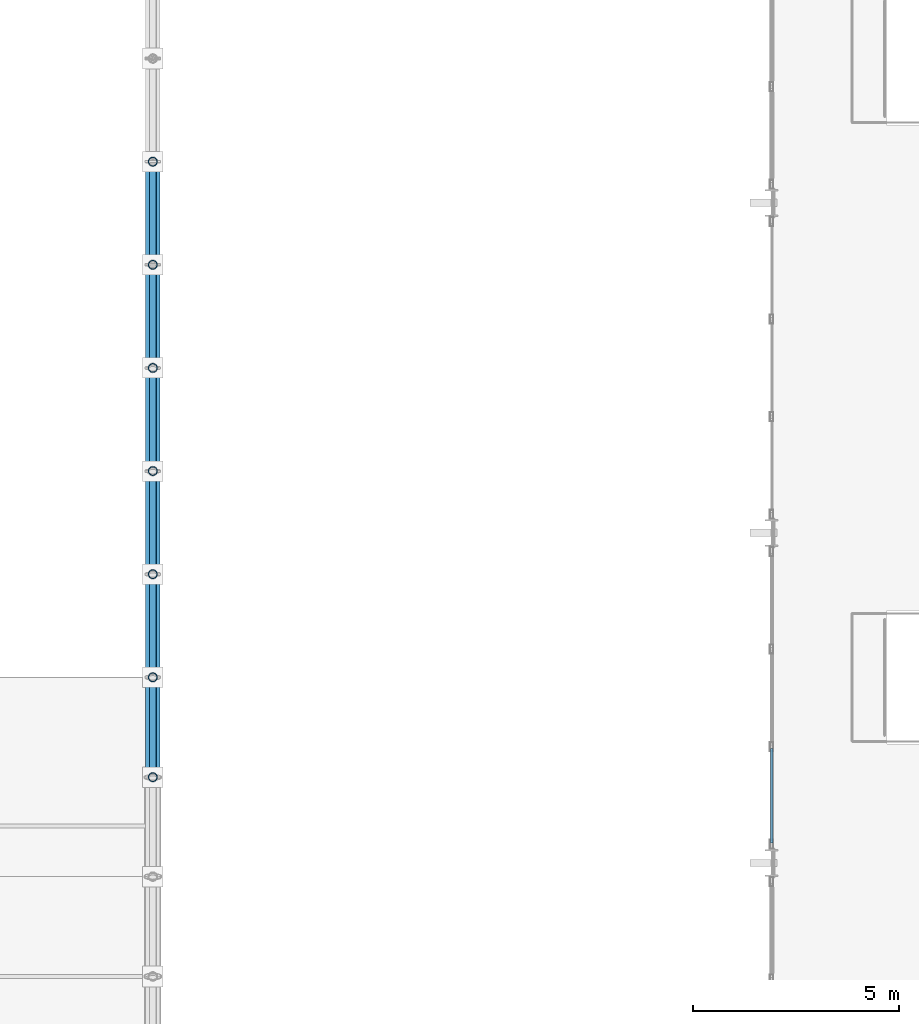
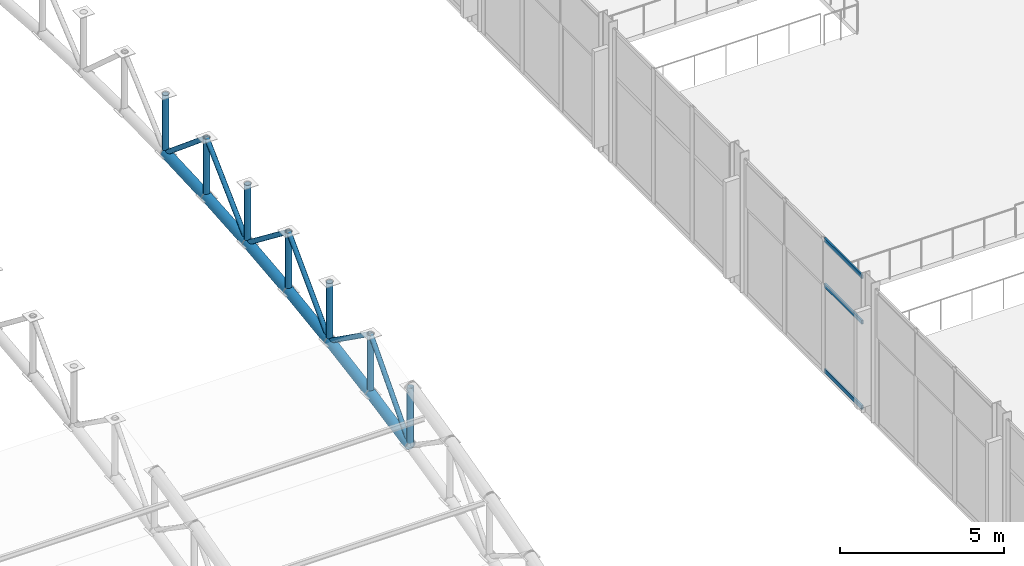
# One storey, part 30 of 195: 22 members, 1 element without a shape of its own.
"""IFC4 building model written with IfcOpenShell, lengths in metres."""

from ifc_helpers import new_model, si_unit, direction, frame, origin, origin_2d, place, context, subcontext, project, spatial, hollow_rectangle, hollow_circle, extrude, material, layer, layer_set, material_profile, profile_set, type_object, element, aggregate, save


model = new_model("IFC4")

# Units and contexts
model_context = context("Model", 3, precision=1e-05, world=origin(), true_north=direction((0.0, 1.0)))
body_context = subcontext(model_context, "Body", "Model", "MODEL_VIEW")
ifc_project = project(units=[si_unit("LENGTHUNIT", "METRE"), si_unit("AREAUNIT", "SQUARE_METRE"), si_unit("VOLUMEUNIT", "CUBIC_METRE"), si_unit("PLANEANGLEUNIT", "RADIAN"), si_unit("MASSUNIT", "GRAM", prefix="KILO")], contexts=[model_context])

# Site, building, storey
site_placement = place(None, origin())
site = spatial("IfcSite", under=ifc_project, at=site_placement, CompositionType="ELEMENT")
building_placement = place(site_placement, origin())
building = spatial("IfcBuilding", under=site, at=building_placement, Name="Marlcrest Central Station", CompositionType="ELEMENT")
storey_placement = place(building_placement, frame((0.0, 0.0, 9.800048828125)))
storey = spatial("IfcBuildingStorey", under=building, at=storey_placement, Name="L02", CompositionType="ELEMENT", Elevation=9.800048828125)

# Members
ifc_material_1 = material(Name="Steel S355", Category="steel")
ifc_material_profile_1 = material_profile(ifc_material_1, hollow_circle(Radius=0.177734375, WallThickness=0.01611328125, at=origin_2d()), Name="CHS 355.6x16")
ifc_profile_set_1 = profile_set([ifc_material_profile_1], Name="Steel S355")
member_type_1 = type_object("IfcMemberType", Name="AC-02", PredefinedType="CHORD", material=ifc_profile_set_1)
member_1_placement = place(storey_placement, frame((72.0, 48.580078125, 2.9169921875), z_axis=(0.0, 0.980359417961, 0.197219196874), x_axis=(-1.0, 0.0, 0.0)))
element("IfcMember", 1, at=member_1_placement, inside=storey, type_object=member_type_1, Name="mem-AC-02-L02-01012", PredefinedType="CHORD", context=body_context, shape_type="SweptSolid", body=[
    extrude(hollow_circle(Radius=0.177734375, WallThickness=0.01611328125, at=origin_2d()), origin(), (0.0, 0.0, 1.0), 2.468505859375),
])
member_2_placement = place(storey_placement, frame((72.0, 51.0, 3.40380859375), z_axis=(0.0, 0.98574109921, 0.168269086076), x_axis=(-1.0, 0.0, 0.0)))
element("IfcMember", 2, at=member_2_placement, inside=storey, type_object=member_type_1, Name="mem-AC-02-L02-01016", PredefinedType="CHORD", context=body_context, shape_type="SweptSolid", body=[
    extrude(hollow_circle(Radius=0.177734375, WallThickness=0.01611328125, at=origin_2d()), origin(), (0.0, 0.0, 1.0), 2.5361328125),
])
member_3_placement = place(storey_placement, frame((72.0, 53.5, 3.83056640625), z_axis=(0.0, 0.990402740232, 0.138211476152), x_axis=(-1.0, 0.0, 0.0)))
element("IfcMember", 3, at=member_3_placement, inside=storey, type_object=member_type_1, Name="mem-AC-02-L02-01020", PredefinedType="CHORD", context=body_context, shape_type="SweptSolid", body=[
    extrude(hollow_circle(Radius=0.177734375, WallThickness=0.01611328125, at=origin_2d()), origin(), (0.0, 0.0, 1.0), 2.524169921875),
])
member_4_placement = place(storey_placement, frame((72.0, 56.0, 4.179443359375), z_axis=(0.0, 0.994155341034, 0.107959056565), x_axis=(-1.0, 0.0, 0.0)))
element("IfcMember", 4, at=member_4_placement, inside=storey, type_object=member_type_1, Name="mem-AC-02-L02-01024", PredefinedType="CHORD", context=body_context, shape_type="SweptSolid", body=[
    extrude(hollow_circle(Radius=0.177734375, WallThickness=0.01611328125, at=origin_2d()), origin(), (0.0, 0.0, 1.0), 2.5146484375),
])
member_5_placement = place(storey_placement, frame((72.0, 58.5, 4.450927734375), z_axis=(0.0, 0.997007334767, 0.077307014043), x_axis=(-1.0, 0.0, 0.0)))
element("IfcMember", 5, at=member_5_placement, inside=storey, type_object=member_type_1, Name="mem-AC-02-L02-01028", PredefinedType="CHORD", context=body_context, shape_type="SweptSolid", body=[
    extrude(hollow_circle(Radius=0.177734375, WallThickness=0.01611328125, at=origin_2d()), origin(), (0.0, 0.0, 1.0), 2.507568359375),
])
member_6_placement = place(storey_placement, frame((72.0, 61.0, 4.644775390625), z_axis=(0.0, 0.998916819647, 0.046531574509), x_axis=(-1.0, 0.0, 0.0)))
element("IfcMember", 6, at=member_6_placement, inside=storey, type_object=member_type_1, Name="mem-AC-02-L02-01032", PredefinedType="CHORD", context=body_context, shape_type="SweptSolid", body=[
    extrude(hollow_circle(Radius=0.177734375, WallThickness=0.01611328125, at=origin_2d()), origin(), (0.0, 0.0, 1.0), 2.502685546875),
])
ifc_material_profile_2 = material_profile(ifc_material_1, hollow_circle(Radius=0.084228515625, WallThickness=0.010009765625, at=origin_2d()), Name="CHS 168.3x10")
ifc_profile_set_2 = profile_set([ifc_material_profile_2], Name="Steel S355")
member_type_2 = type_object("IfcMemberType", Name="AD-01", PredefinedType="BRACE", material=ifc_profile_set_2)
member_7_placement = place(storey_placement, frame((72.0, 48.580078125, 2.9169921875), z_axis=(0.0, 0.669244457479, 0.743042297675), x_axis=(-1.0, 0.0, 0.0)))
element("IfcMember", 7, at=member_7_placement, inside=storey, type_object=member_type_2, Name="mem-AD-01-L02-01014", PredefinedType="BRACE", context=body_context, shape_type="SweptSolid", body=[
    extrude(hollow_circle(Radius=0.084228515625, WallThickness=0.010009765625, at=origin_2d()), origin(), (0.0, 0.0, 1.0), 3.615966796875),
])
member_8_placement = place(storey_placement, frame((72.0, 51.0, 5.603759765625), z_axis=(0.0, 0.815661132754, -0.57852996164), x_axis=(-1.0, 0.0, 0.0)))
element("IfcMember", 8, at=member_8_placement, inside=storey, type_object=member_type_2, Name="mem-AD-01-L02-01018", PredefinedType="BRACE", context=body_context, shape_type="SweptSolid", body=[
    extrude(hollow_circle(Radius=0.084228515625, WallThickness=0.010009765625, at=origin_2d()), origin(), (0.0, 0.0, 1.0), 3.06494140625),
])
member_9_placement = place(storey_placement, frame((72.0, 53.5, 3.83056640625), z_axis=(0.0, 0.70023547796, 0.713911952139), x_axis=(-1.0, 0.0, 0.0)))
element("IfcMember", 9, at=member_9_placement, inside=storey, type_object=member_type_2, Name="mem-AD-01-L02-01022", PredefinedType="BRACE", context=body_context, shape_type="SweptSolid", body=[
    extrude(hollow_circle(Radius=0.084228515625, WallThickness=0.010009765625, at=origin_2d()), origin(), (0.0, 0.0, 1.0), 3.5703125),
])
member_10_placement = place(storey_placement, frame((72.0, 56.0, 6.37939453125), z_axis=(0.0, 0.791798282026, -0.610782678684), x_axis=(-1.0, 0.0, 0.0)))
element("IfcMember", 10, at=member_10_placement, inside=storey, type_object=member_type_2, Name="mem-AD-01-L02-01026", PredefinedType="BRACE", context=body_context, shape_type="SweptSolid", body=[
    extrude(hollow_circle(Radius=0.084228515625, WallThickness=0.010009765625, at=origin_2d()), origin(), (0.0, 0.0, 1.0), 3.157470703125),
])
member_11_placement = place(storey_placement, frame((72.0, 58.5, 4.450927734375), z_axis=(0.0, 0.722246537655, 0.691635698071), x_axis=(-1.0, 0.0, 0.0)))
element("IfcMember", 11, at=member_11_placement, inside=storey, type_object=member_type_2, Name="mem-AD-01-L02-01030", PredefinedType="BRACE", context=body_context, shape_type="SweptSolid", body=[
    extrude(hollow_circle(Radius=0.084228515625, WallThickness=0.010009765625, at=origin_2d()), origin(), (0.0, 0.0, 1.0), 3.46142578125),
])
member_12_placement = place(storey_placement, frame((72.0, 61.0, 6.844970703125), z_axis=(0.0, 0.768159787854, -0.640258182552), x_axis=(-1.0, 0.0, 0.0)))
element("IfcMember", 12, at=member_12_placement, inside=storey, type_object=member_type_2, Name="mem-AD-01-L02-01034", PredefinedType="BRACE", context=body_context, shape_type="SweptSolid", body=[
    extrude(hollow_circle(Radius=0.084228515625, WallThickness=0.010009765625, at=origin_2d()), origin(), (0.0, 0.0, 1.0), 3.254638671875),
])
ifc_material_profile_3 = material_profile(ifc_material_1, hollow_circle(Radius=0.109619140625, WallThickness=0.012451171875, at=origin_2d()), Name="CHS 219.1x12.5")
ifc_profile_set_3 = profile_set([ifc_material_profile_3], Name="Steel S355")
member_type_3 = type_object("IfcMemberType", Name="AP-01", PredefinedType="POST", material=ifc_profile_set_3)
for number, where, z_axis, x_axis, name in (
    (13, (72.0, 48.580078125, 2.9169921875), (0.0, 0.0, 1.0), (1.0, 0.0, 0.0), "mem-AP-01-L02-01013"),
    (14, (72.0, 51.0, 3.40380859375), (0.0, 0.0, 1.0), (1.0, 0.0, 0.0), "mem-AP-01-L02-01017"),
    (15, (72.0, 53.5, 3.83056640625), (0.0, 0.0, 1.0), (1.0, 0.0, 0.0), "mem-AP-01-L02-01021"),
    (16, (72.0, 56.0, 4.179443359375), (0.0, 0.0, 1.0), (1.0, 0.0, 0.0), "mem-AP-01-L02-01025"),
    (17, (72.0, 58.5, 4.450927734375), (0.0, 0.0, 1.0), (1.0, 0.0, 0.0), "mem-AP-01-L02-01029"),
):
    element("IfcMember", number, at=place(storey_placement, frame(where, z_axis=z_axis, x_axis=x_axis)), inside=storey, type_object=member_type_3, Name=name, PredefinedType="POST", context=body_context, shape_type="SweptSolid", body=[
        extrude(hollow_circle(Radius=0.109619140625, WallThickness=0.012451171875, at=origin_2d()), origin(), (0.0, 0.0, 1.0), 2.199951171875),
    ])
member_13_placement = place(storey_placement, frame((72.0, 61.0, 4.644775390625), z_axis=(0.0, 0.0, 1.0), x_axis=(1.0, 0.0, 0.0)))
element("IfcMember", 18, at=member_13_placement, inside=storey, type_object=member_type_3, Name="mem-AP-01-L02-01033", PredefinedType="POST", context=body_context, shape_type="SweptSolid", body=[
    extrude(hollow_circle(Radius=0.109619140625, WallThickness=0.012451171875, at=origin_2d()), origin(), (0.0, 0.0, 1.0), 2.2001953125),
])
member_14_placement = place(storey_placement, frame((72.0, 63.5, 4.76123046875), z_axis=(0.0, 0.0, 1.0), x_axis=(1.0, 0.0, 0.0)))
element("IfcMember", 19, at=member_14_placement, inside=storey, type_object=member_type_3, Name="mem-AP-01-L02-01037", PredefinedType="POST", context=body_context, shape_type="SweptSolid", body=[
    extrude(hollow_circle(Radius=0.109619140625, WallThickness=0.012451171875, at=origin_2d()), origin(), (0.0, 0.0, 1.0), 2.199951171875),
])

# Curtain wall, members
ifc_material_2 = material(Name="Anodised aluminium and hurricane laminated glass", Category="aluminium")
ifc_layer = layer(ifc_material_2, 0.219970703125, Name="CW-U1")
ifc_layer_set = layer_set([ifc_layer], Name="Anodised aluminium and hurricane laminated glass")
curtain_wall_type = type_object("IfcCurtainWallType", Name="CW-U1", PredefinedType="USERDEFINED", material=ifc_layer_set)
curtain_wall_placement = place(storey_placement, origin())
curtain_wall = element("IfcCurtainWall", 20, at=curtain_wall_placement, inside=storey, type_object=curtain_wall_type, Name="cw-L02-0111", ObjectType="UNITISED_CURTAIN_WALL", PredefinedType="USERDEFINED")
ifc_material_3 = material(Name="Anodised aluminium 6063-T6", Category="aluminium")
ifc_material_profile_4 = material_profile(ifc_material_3, hollow_rectangle(XDim=0.06005859375, YDim=0.14990234375, WallThickness=0.00390625, at=origin_2d()), Name="AA-RHS 150x60x4")
ifc_profile_set_4 = profile_set([ifc_material_profile_4], Name="Anodised aluminium 6063-T6")
member_type_4 = type_object("IfcMemberType", Name="TR-01", PredefinedType="USERDEFINED", material=ifc_profile_set_4)
member_15_placement = place(storey_placement, frame((87.0, 46.988037109375, 0.0400390625), z_axis=(0.0, 1.0, 0.0), x_axis=(-1.0, 0.0, 0.0)))
member_15 = element("IfcMember", 21, at=member_15_placement, type_object=member_type_4, Name="cw-L02-0111-tr-0-sill", ObjectType="TRANSOM", PredefinedType="USERDEFINED", context=body_context, shape_type="SweptSolid", body=[
    extrude(hollow_rectangle(XDim=0.06005859375, YDim=0.14990234375, WallThickness=0.00390625, at=origin_2d()), origin(), (0.0, 0.0, 1.0), 2.290771484375),
])
member_16_placement = place(storey_placement, frame((87.0, 46.988037109375, 3.218017578125), z_axis=(0.0, 1.0, 0.0), x_axis=(-1.0, 0.0, 0.0)))
member_16 = element("IfcMember", 22, at=member_16_placement, type_object=member_type_4, Name="cw-L02-0111-tr-0-mid", ObjectType="TRANSOM", PredefinedType="USERDEFINED", context=body_context, shape_type="SweptSolid", body=[
    extrude(hollow_rectangle(XDim=0.06005859375, YDim=0.14990234375, WallThickness=0.00390625, at=origin_2d()), origin(), (0.0, 0.0, 1.0), 2.290771484375),
])
member_17_placement = place(storey_placement, frame((87.0, 46.988037109375, 4.909912109375), z_axis=(0.0, 1.0, 0.0), x_axis=(-1.0, 0.0, 0.0)))
member_17 = element("IfcMember", 23, at=member_17_placement, type_object=member_type_4, Name="cw-L02-0111-tr-0-head", ObjectType="TRANSOM", PredefinedType="USERDEFINED", context=body_context, shape_type="SweptSolid", body=[
    extrude(hollow_rectangle(XDim=0.06005859375, YDim=0.14990234375, WallThickness=0.00390625, at=origin_2d()), origin(), (0.0, 0.0, 1.0), 2.290771484375),
])
aggregate(curtain_wall, [member_15, member_16, member_17])

save(model, "model.ifc")
